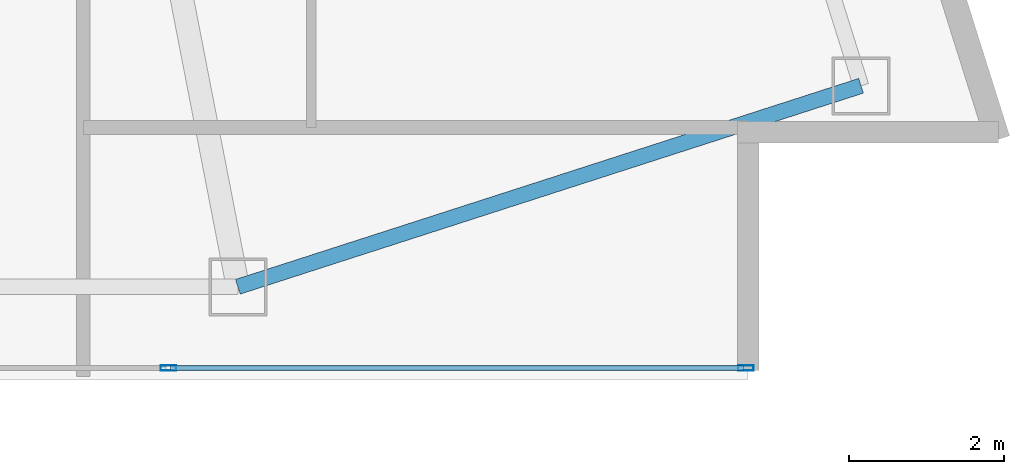
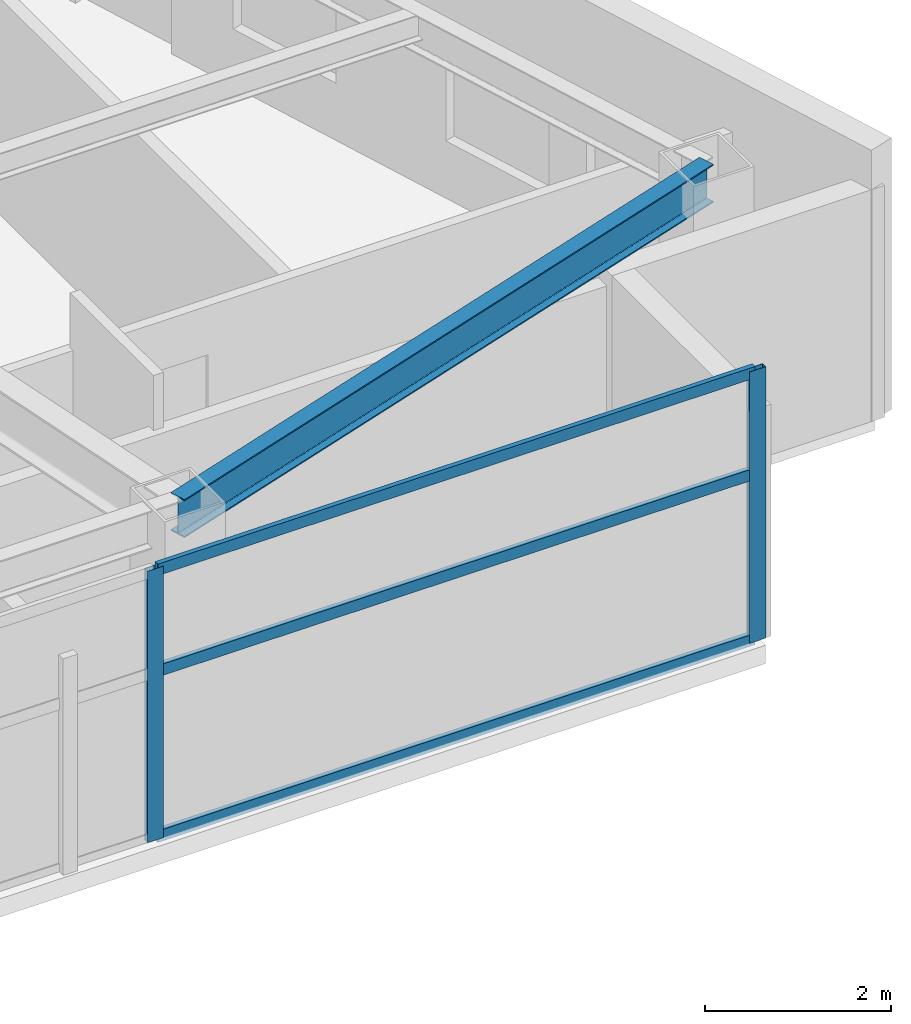
# One storey, part 14 of 28: 5 members, 1 beam, 1 element without a shape of its own.
"""IFC4 building model written with IfcOpenShell, lengths in metres."""

from ifc_helpers import new_model, si_unit, direction, frame, origin, origin_2d, place, context, subcontext, project, spatial, hollow_rectangle, i_section, extrude, material, layer, layer_set, material_profile, profile_set, type_object, element, aggregate, save


model = new_model("IFC4")

# Units and contexts
model_context = context("Model", 3, precision=1e-05, world=origin(), true_north=direction((0.0, 1.0)))
body_context = subcontext(model_context, "Body", "Model", "MODEL_VIEW")
ifc_project = project(units=[si_unit("LENGTHUNIT", "METRE"), si_unit("AREAUNIT", "SQUARE_METRE"), si_unit("VOLUMEUNIT", "CUBIC_METRE"), si_unit("PLANEANGLEUNIT", "RADIAN"), si_unit("MASSUNIT", "GRAM", prefix="KILO")], contexts=[model_context])

# Site, building, storey
site_placement = place(None, origin())
site = spatial("IfcSite", under=ifc_project, at=site_placement, CompositionType="ELEMENT")
building_placement = place(site_placement, origin())
building = spatial("IfcBuilding", under=site, at=building_placement, Name="Calvorn Quay Hotel", CompositionType="ELEMENT")
storey_placement = place(building_placement, frame((0.0, 0.0, 108.800048828125)))
storey = spatial("IfcBuildingStorey", under=building, at=storey_placement, Name="L26", CompositionType="ELEMENT", Elevation=108.800048828125)

# Beam
ifc_material_1 = material(Name="Steel Q355B", Category="steel")
ifc_material_profile_1 = material_profile(ifc_material_1, i_section(OverallWidth=0.199951171875, OverallDepth=0.5, WebThickness=0.010009765625, FlangeThickness=0.01611328125, FilletRadius=0.01611328125, at=origin_2d()), Name="HN500x200x10x16")
ifc_profile_set_1 = profile_set([ifc_material_profile_1], Name="Steel Q355B")
beam_type = type_object("IfcBeamType", Name="BM-SPANDREL-Z1", PredefinedType="SPANDREL", material=ifc_profile_set_1)
beam_placement = place(storey_placement, frame((49.39990234375, 3.60009765625, 3.2900390625), z_axis=(0.951725188386, 0.306951406237, 0.0), x_axis=(-0.306951406237, 0.951725188386, 0.0)))
element("IfcBeam", 1, at=beam_placement, inside=storey, type_object=beam_type, Name="Beam BSP-L26-S6", PredefinedType="SPANDREL", context=body_context, shape_type="SweptSolid", body=[
    extrude(i_section(OverallWidth=0.199951171875, OverallDepth=0.5, WebThickness=0.010009765625, FlangeThickness=0.01611328125, FilletRadius=0.01611328125, at=origin_2d()), origin(), (0.0, 0.0, 1.0), 8.469970703125),
])

# Curtain wall, members
ifc_material_2 = material(Name="Pale Anodised Aluminium and Low-E Glass", Category="aluminium")
ifc_layer = layer(ifc_material_2, 0.219970703125)
ifc_layer_set = layer_set([ifc_layer], Name="CW-SYS-Z2")
curtain_wall_type = type_object("IfcCurtainWallType", Name="CW-SYS-Z2", PredefinedType="NOTDEFINED", material=ifc_layer_set)
curtain_wall_placement = place(storey_placement, origin())
curtain_wall = element("IfcCurtainWall", 2, at=curtain_wall_placement, inside=storey, type_object=curtain_wall_type, Name="Tower South Waterfront Curtain Wall (L26)", PredefinedType="NOTDEFINED")
ifc_material_3 = material(Name="Pale Anodised Aluminium 6063-T6", Category="aluminium")
ifc_material_profile_2 = material_profile(ifc_material_3, hollow_rectangle(XDim=0.070068359375, YDim=0.199951171875, WallThickness=0.00390625, at=origin_2d()), Name="ALU-M200x70x4")
ifc_profile_set_2 = profile_set([ifc_material_profile_2], Name="Pale Anodised Aluminium 6063-T6")
member_type_1 = type_object("IfcMemberType", Name="CW-SYS-Z2-MUL", PredefinedType="MULLION", material=ifc_profile_set_2)
member_1_placement = place(storey_placement, frame((48.5, 2.550048828125, 0.0), z_axis=(0.0, 0.0, 1.0), x_axis=(0.0, 1.0, 0.0)))
member_1 = element("IfcMember", 3, at=member_1_placement, type_object=member_type_1, Name="CW-L26-S mullion 6", PredefinedType="MULLION", context=body_context, shape_type="SweptSolid", body=[
    extrude(hollow_rectangle(XDim=0.070068359375, YDim=0.199951171875, WallThickness=0.00390625, at=origin_2d()), origin(), (0.0, 0.0, 1.0), 3.56005859375),
])
member_2_placement = place(storey_placement, frame((55.969970703125, 2.550048828125, 0.0), z_axis=(0.0, 0.0, 1.0), x_axis=(0.0, 1.0, 0.0)))
member_2 = element("IfcMember", 4, at=member_2_placement, type_object=member_type_1, Name="CW-L26-S mullion 7", PredefinedType="MULLION", context=body_context, shape_type="SweptSolid", body=[
    extrude(hollow_rectangle(XDim=0.070068359375, YDim=0.199951171875, WallThickness=0.00390625, at=origin_2d()), origin(), (0.0, 0.0, 1.0), 3.56005859375),
])
ifc_material_4 = material(Name="Pale Anodised Aluminium 6063-T6", Category="aluminium")
ifc_material_profile_3 = material_profile(ifc_material_4, hollow_rectangle(XDim=0.06005859375, YDim=0.14990234375, WallThickness=0.00341796875, at=origin_2d()), Name="ALU-T150x60x3.5")
ifc_profile_set_3 = profile_set([ifc_material_profile_3], Name="Pale Anodised Aluminium 6063-T6")
member_type_2 = type_object("IfcMemberType", Name="CW-SYS-Z2-TRN", PredefinedType="USERDEFINED", material=ifc_profile_set_3)
member_3_placement = place(storey_placement, frame((48.530029296875, 2.550048828125, 0.030029296875), z_axis=(1.0, 0.0, 0.0), x_axis=(0.0, 1.0, 0.0)))
member_3 = element("IfcMember", 5, at=member_3_placement, type_object=member_type_2, Name="CW-L26-S transom 6.1", ObjectType="TRANSOM", PredefinedType="USERDEFINED", context=body_context, shape_type="SweptSolid", body=[
    extrude(hollow_rectangle(XDim=0.06005859375, YDim=0.14990234375, WallThickness=0.00341796875, at=origin_2d()), origin(), (0.0, 0.0, 1.0), 7.409912109375),
])
member_4_placement = place(storey_placement, frame((48.530029296875, 2.550048828125, 2.199951171875), z_axis=(1.0, 0.0, 0.0), x_axis=(0.0, 1.0, 0.0)))
member_4 = element("IfcMember", 6, at=member_4_placement, type_object=member_type_2, Name="CW-L26-S transom 6.2", ObjectType="TRANSOM", PredefinedType="USERDEFINED", context=body_context, shape_type="SweptSolid", body=[
    extrude(hollow_rectangle(XDim=0.06005859375, YDim=0.14990234375, WallThickness=0.00341796875, at=origin_2d()), origin(), (0.0, 0.0, 1.0), 7.409912109375),
])
member_5_placement = place(storey_placement, frame((48.530029296875, 2.550048828125, 3.530029296875), z_axis=(1.0, 0.0, 0.0), x_axis=(0.0, 1.0, 0.0)))
member_5 = element("IfcMember", 7, at=member_5_placement, type_object=member_type_2, Name="CW-L26-S transom 6.3", ObjectType="TRANSOM", PredefinedType="USERDEFINED", context=body_context, shape_type="SweptSolid", body=[
    extrude(hollow_rectangle(XDim=0.06005859375, YDim=0.14990234375, WallThickness=0.00341796875, at=origin_2d()), origin(), (0.0, 0.0, 1.0), 7.409912109375),
])
aggregate(curtain_wall, [member_1, member_2, member_3, member_4, member_5])

save(model, "model.ifc")
